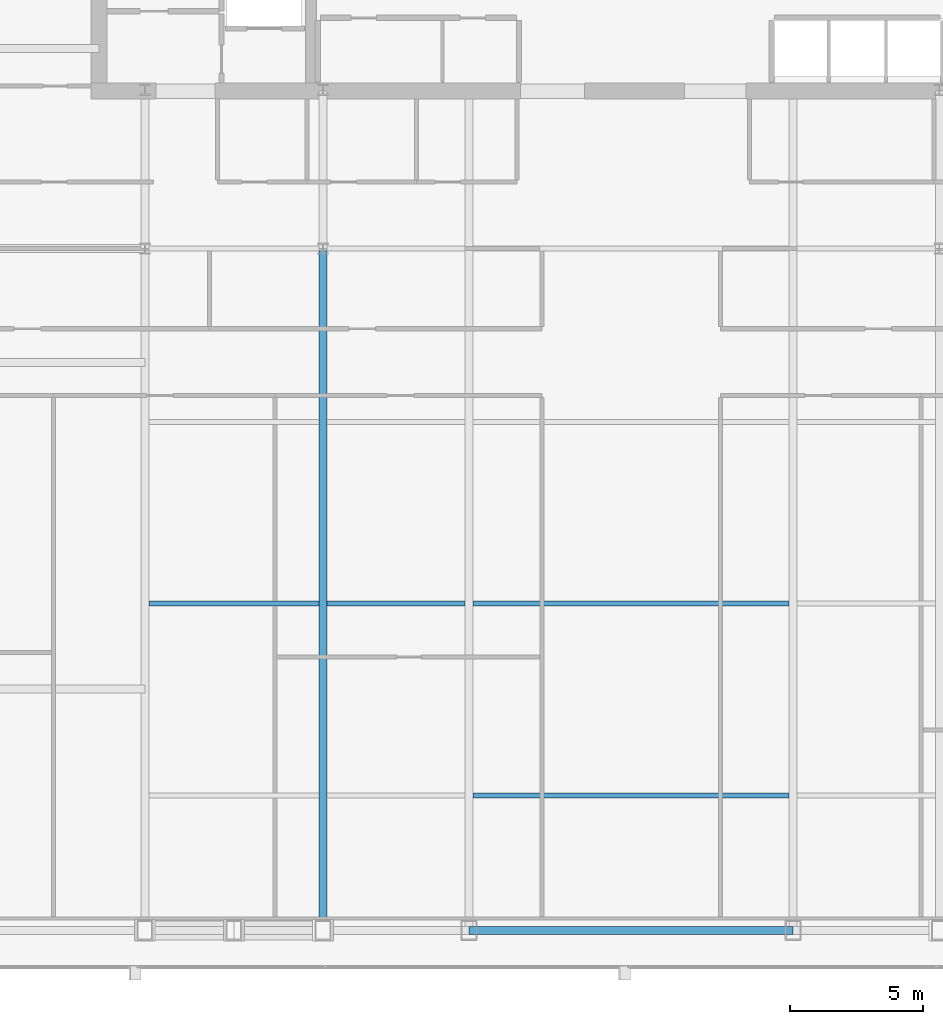
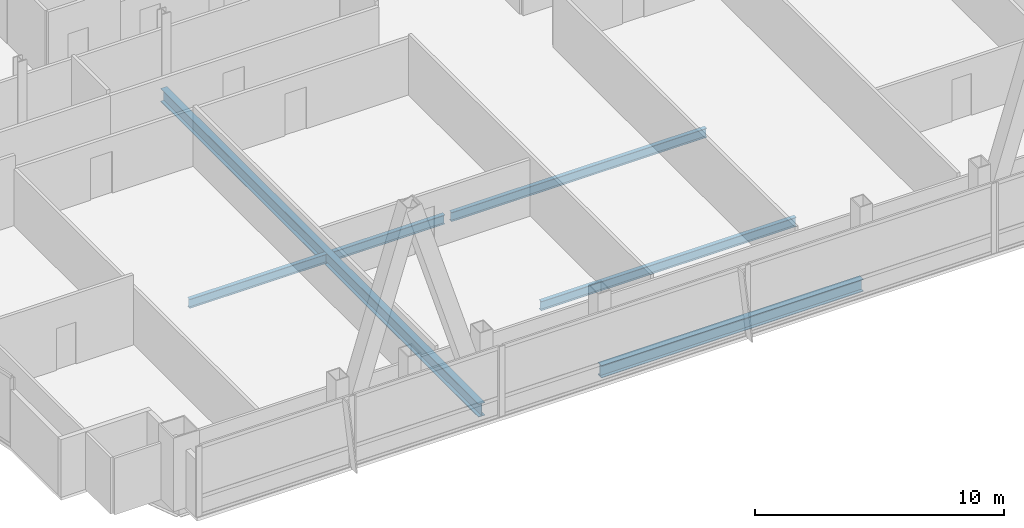
# One storey, part 9 of 32: 6 beams.
"""IFC4 building model written with IfcOpenShell, lengths in metres."""

from ifc_helpers import new_model, si_unit, direction, frame, origin, origin_2d, place, context, subcontext, project, spatial, i_section, extrude, material, material_profile, profile_set, type_object, element, save


model = new_model("IFC4")

# Units and contexts
model_context = context("Model", 3, precision=1e-05, world=origin(), true_north=direction((0.0, 1.0)))
body_context = subcontext(model_context, "Body", "Model", "MODEL_VIEW")
ifc_project = project(units=[si_unit("LENGTHUNIT", "METRE"), si_unit("AREAUNIT", "SQUARE_METRE"), si_unit("VOLUMEUNIT", "CUBIC_METRE"), si_unit("PLANEANGLEUNIT", "RADIAN"), si_unit("MASSUNIT", "GRAM", prefix="KILO")], contexts=[model_context])

# Site, building, storey
site_placement = place(None, origin())
site = spatial("IfcSite", under=ifc_project, at=site_placement, CompositionType="ELEMENT")
building_placement = place(site_placement, origin())
building = spatial("IfcBuilding", under=site, at=building_placement, Name="Khoronbel Lancet Exchange", CompositionType="ELEMENT")
storey_placement = place(building_placement, frame((0.0, 0.0, 221.0)))
storey = spatial("IfcBuildingStorey", under=building, at=storey_placement, Name="L56", CompositionType="ELEMENT", Elevation=221.0)

# Beams
ifc_material = material(Name="Steel S355", Category="steel")
ifc_material_profile_1 = material_profile(ifc_material, i_section(OverallWidth=0.300048828125, OverallDepth=0.64990234375, WebThickness=0.01611328125, FlangeThickness=0.031005859375, at=origin_2d()), Name="HEB 650")
ifc_profile_set_1 = profile_set([ifc_material_profile_1], Name="Steel S355")
beam_type_1 = type_object("IfcBeamType", Name="BM-BG4", PredefinedType="BEAM", material=ifc_profile_set_1)
beam_1_placement = place(storey_placement, frame((24.89990234375, 10.14990234375, -0.485107421875), z_axis=(0.0, 1.0, 0.0), x_axis=(-1.0, 0.0, 0.0)))
element("IfcBeam", 1, at=beam_1_placement, inside=storey, type_object=beam_type_1, Name="Level L56 south primary girder GS2", PredefinedType="BEAM", context=body_context, shape_type="SweptSolid", body=[
    extrude(i_section(OverallWidth=0.300048828125, OverallDepth=0.64990234375, WebThickness=0.01611328125, FlangeThickness=0.031005859375, at=origin_2d()), origin(), (0.0, 0.0, 1.0), 25.550048828125),
])
ifc_material_profile_2 = material_profile(ifc_material, i_section(OverallWidth=0.18994140625, OverallDepth=0.449951171875, WebThickness=0.009521484375, FlangeThickness=0.0146484375, at=origin_2d()), Name="IPE 450")
ifc_profile_set_2 = profile_set([ifc_material_profile_2], Name="Steel S355")
beam_type_2 = type_object("IfcBeamType", Name="BM-BJ4", PredefinedType="JOIST", material=ifc_profile_set_2)
beam_2_placement = place(storey_placement, frame((30.52490234375, 15.199951171875, -0.385009765625), z_axis=(1.0, 0.0, 0.0), x_axis=(0.0, 1.0, 0.0)))
element("IfcBeam", 2, at=beam_2_placement, inside=storey, type_object=beam_type_2, Name="Level L56 secondary composite joist J03", PredefinedType="JOIST", context=body_context, shape_type="SweptSolid", body=[
    extrude(i_section(OverallWidth=0.18994140625, OverallDepth=0.449951171875, WebThickness=0.009521484375, FlangeThickness=0.0146484375, at=origin_2d()), origin(), (0.0, 0.0, 1.0), 11.85009765625),
])
beam_3_placement = place(storey_placement, frame((18.375, 22.39990234375, -0.385009765625), z_axis=(1.0, 0.0, 0.0), x_axis=(0.0, 1.0, 0.0)))
element("IfcBeam", 3, at=beam_3_placement, inside=storey, type_object=beam_type_2, Name="Level L56 secondary composite joist J06", PredefinedType="JOIST", context=body_context, shape_type="SweptSolid", body=[
    extrude(i_section(OverallWidth=0.18994140625, OverallDepth=0.449951171875, WebThickness=0.009521484375, FlangeThickness=0.0146484375, at=origin_2d()), origin(), (0.0, 0.0, 1.0), 6.375),
])
beam_4_placement = place(storey_placement, frame((25.050048828125, 22.39990234375, -0.385009765625), z_axis=(1.0, 0.0, 0.0), x_axis=(0.0, 1.0, 0.0)))
element("IfcBeam", 4, at=beam_4_placement, inside=storey, type_object=beam_type_2, Name="Level L56 secondary composite joist J07", PredefinedType="JOIST", context=body_context, shape_type="SweptSolid", body=[
    extrude(i_section(OverallWidth=0.18994140625, OverallDepth=0.449951171875, WebThickness=0.009521484375, FlangeThickness=0.0146484375, at=origin_2d()), origin(), (0.0, 0.0, 1.0), 5.175048828125),
])
beam_5_placement = place(storey_placement, frame((30.52490234375, 22.39990234375, -0.385009765625), z_axis=(1.0, 0.0, 0.0), x_axis=(0.0, 1.0, 0.0)))
element("IfcBeam", 5, at=beam_5_placement, inside=storey, type_object=beam_type_2, Name="Level L56 secondary composite joist J08", PredefinedType="JOIST", context=body_context, shape_type="SweptSolid", body=[
    extrude(i_section(OverallWidth=0.18994140625, OverallDepth=0.449951171875, WebThickness=0.009521484375, FlangeThickness=0.0146484375, at=origin_2d()), origin(), (0.0, 0.0, 1.0), 11.85009765625),
])
ifc_material_profile_3 = material_profile(ifc_material, i_section(OverallWidth=0.300048828125, OverallDepth=0.60009765625, WebThickness=0.015380859375, FlangeThickness=0.030029296875, at=origin_2d()), Name="HEB 600")
ifc_profile_set_3 = profile_set([ifc_material_profile_3], Name="Steel S355")
beam_type_3 = type_object("IfcBeamType", Name="BM-BSP2", PredefinedType="SPANDREL", material=ifc_profile_set_3)
beam_6_placement = place(storey_placement, frame((30.375, 10.14990234375, -0.4599609375), z_axis=(1.0, 0.0, 0.0), x_axis=(0.0, 1.0, 0.0)))
element("IfcBeam", 6, at=beam_6_placement, inside=storey, type_object=beam_type_3, Name="Level L56 perimeter spandrel beam SP05", PredefinedType="SPANDREL", context=body_context, shape_type="SweptSolid", body=[
    extrude(i_section(OverallWidth=0.300048828125, OverallDepth=0.60009765625, WebThickness=0.015380859375, FlangeThickness=0.030029296875, at=origin_2d()), origin(), (0.0, 0.0, 1.0), 12.14990234375),
])

save(model, "model.ifc")
